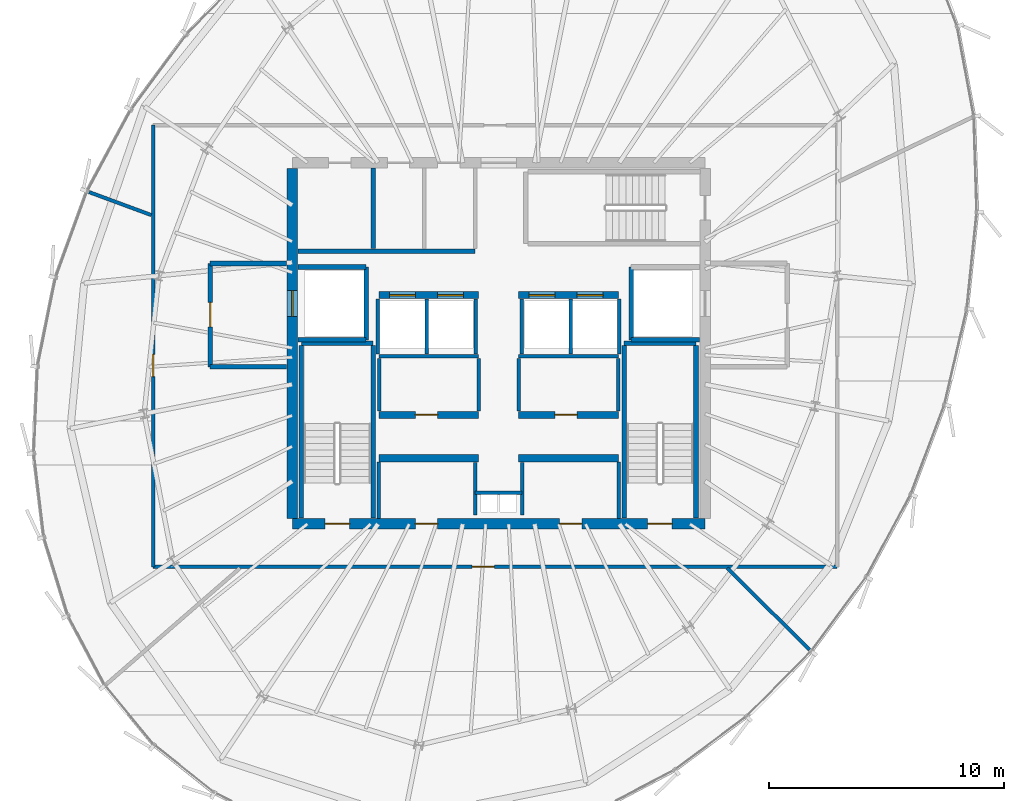
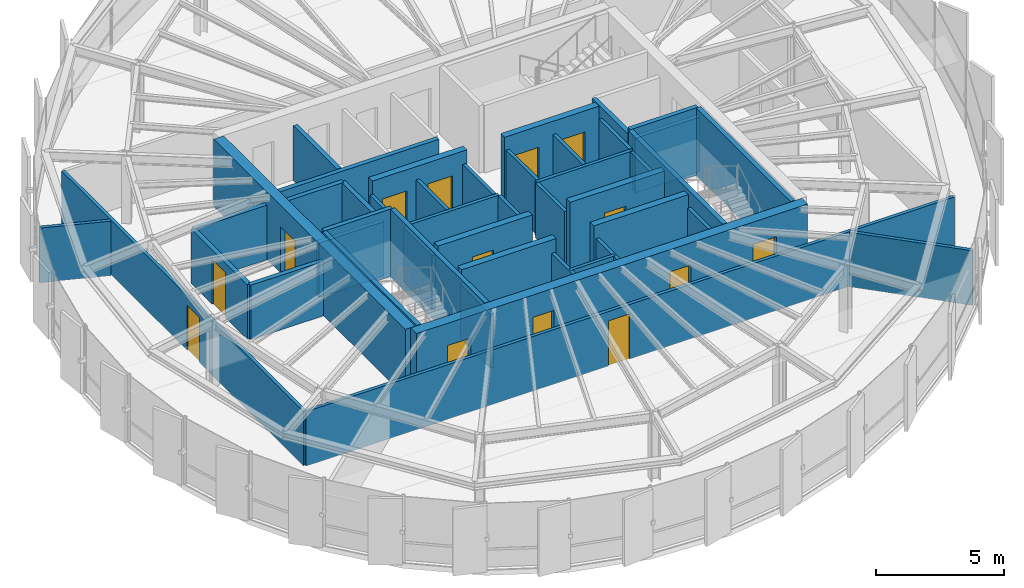
# One storey, part 26 of 33: 45 walls, 14 doors, 14 openings.
"""IFC4 building model written with IfcOpenShell, lengths in metres."""

from ifc_helpers import new_model, si_unit, direction, frame, frame_2d, origin, place, context, subcontext, project, spatial, rectangle, extrude, source, transform, mapped, material, layer, layer_set, type_object, element, fill, save


model = new_model("IFC4")

# Units and contexts
model_context = context("Model", 3, precision=1e-05, world=origin(), true_north=direction((0.0, 1.0)))
body_context = subcontext(model_context, "Body", "Model", "MODEL_VIEW")
ifc_project = project(units=[si_unit("LENGTHUNIT", "METRE"), si_unit("AREAUNIT", "SQUARE_METRE"), si_unit("VOLUMEUNIT", "CUBIC_METRE"), si_unit("PLANEANGLEUNIT", "RADIAN"), si_unit("MASSUNIT", "GRAM", prefix="KILO"), si_unit("THERMODYNAMICTEMPERATUREUNIT", "KELVIN")], contexts=[model_context])

# Site, building, storey
site_placement = place(None, origin())
site = spatial("IfcSite", under=ifc_project, at=site_placement, CompositionType="ELEMENT")
building_placement = place(site_placement, origin())
building = spatial("IfcBuilding", under=site, at=building_placement, Name="Kethvar Cultural Tower", CompositionType="ELEMENT")
storey_placement = place(building_placement, frame((0.0, 0.0, 266.35009765625)))
storey = spatial("IfcBuildingStorey", under=building, at=storey_placement, Name="L70", CompositionType="ELEMENT", Elevation=266.35009765625)

# Wall, openings, doors
ifc_material_1 = material(Name="Concrete C50/60", Category="concrete")
ifc_layer_1 = layer(ifc_material_1, 0.449951171875, Name="Concrete C50/60", Category="concrete")
ifc_layer_set_1 = layer_set([ifc_layer_1], Name="Concrete C50/60 (450 mm)")
wall_type_1 = type_object("IfcWallType", Name="WL-CORE-450", PredefinedType="SHEAR", material=ifc_layer_set_1)
wall_1_placement = place(storey_placement, frame((38.0, 20.10009765625, 0.0), z_axis=(0.0, 0.0, 1.0), x_axis=(1.0, 0.0, 0.0)))
wall_1 = element("IfcWall", 1, at=wall_1_placement, inside=storey, type_object=wall_type_1, Name="L70 Core Shear Wall S", PredefinedType="SHEAR", context=body_context, shape_type="SweptSolid", body=[
    extrude(rectangle(XDim=17.60009765625, YDim=0.449951171875, at=frame_2d((8.800048828125, 0.0))), origin(), (0.0, 0.0, 1.0), 3.2099609375),
])
opening_1_placement = place(wall_1_placement, frame((1.39990234375, 0.0, 0.0)))
opening_1 = element("IfcOpeningElement", 2, at=opening_1_placement, cuts=wall_1, Name="Opening D-L70-S1", PredefinedType="OPENING", context=body_context, shape_type="SweptSolid", body=[
    extrude(rectangle(XDim=1.050048828125, YDim=2.14990234375, at=frame_2d((0.52490234375, 1.074951171875))), frame((0.0, 0.23486328125, 0.0), z_axis=(0.0, -1.0, 0.0), x_axis=(1.0, 0.0, 0.0)), (0.0, 0.0, 1.0), 0.469970703125),
])
opening_2_placement = place(wall_1_placement, frame((15.14990234375, 0.0, 0.0)))
opening_2 = element("IfcOpeningElement", 3, at=opening_2_placement, cuts=wall_1, Name="Opening D-L70-ST2", PredefinedType="OPENING", context=body_context, shape_type="SweptSolid", body=[
    extrude(rectangle(XDim=1.050048828125, YDim=2.14990234375, at=frame_2d((0.52490234375, 1.074951171875))), frame((0.0, 0.23486328125, 0.0), z_axis=(0.0, -1.0, 0.0), x_axis=(1.0, 0.0, 0.0)), (0.0, 0.0, 1.0), 0.469970703125),
])
opening_3_placement = place(wall_1_placement, frame((5.25, 0.0, 0.0)))
opening_3 = element("IfcOpeningElement", 4, at=opening_3_placement, cuts=wall_1, Name="Opening D-L70-V1", PredefinedType="OPENING", context=body_context, shape_type="SweptSolid", body=[
    extrude(rectangle(XDim=0.949951171875, YDim=2.14990234375, at=frame_2d((0.47509765625, 1.074951171875))), frame((0.0, 0.23486328125, 0.0), z_axis=(0.0, -1.0, 0.0), x_axis=(1.0, 0.0, 0.0)), (0.0, 0.0, 1.0), 0.469970703125),
])
opening_4_placement = place(wall_1_placement, frame((11.39990234375, 0.0, 0.0)))
opening_4 = element("IfcOpeningElement", 5, at=opening_4_placement, cuts=wall_1, Name="Opening D-L70-V2", PredefinedType="OPENING", context=body_context, shape_type="SweptSolid", body=[
    extrude(rectangle(XDim=0.949951171875, YDim=2.14990234375, at=frame_2d((0.47509765625, 1.074951171875))), frame((0.0, 0.23486328125, 0.0), z_axis=(0.0, -1.0, 0.0), x_axis=(1.0, 0.0, 0.0)), (0.0, 0.0, 1.0), 0.469970703125),
])
ifc_material_2 = material(Name="Steel S355J2", Category="steel")
door_type_1 = type_object("IfcDoorType", Name="DR-FD60-1050", OperationType="NOTDEFINED", PredefinedType="DOOR", material=ifc_material_2)
shared_shape_1 = source(origin(), body_context, "Body", "SweptSolid", [
    extrude(rectangle(XDim=1.050048828125, YDim=2.14990234375, at=frame_2d((0.52490234375, 1.074951171875))), frame((0.0, 0.02490234375, 0.0), z_axis=(0.0, -1.0, 0.0), x_axis=(1.0, 0.0, 0.0)), (0.0, 0.0, 1.0), 0.050048828125),
])
door_1_placement = place(opening_1_placement, origin())
door_1 = element("IfcDoor", 6, at=door_1_placement, inside=storey, type_object=door_type_1, Name="L70 Exit Stair 1 Door", OperationType="SINGLE_SWING_LEFT", OverallHeight=2.14990234375, OverallWidth=1.050048828125, PredefinedType="DOOR", context=body_context, shape_type="MappedRepresentation", body=[
    mapped(shared_shape_1, transform((0.0, 0.0, 0.0), scale=1.0)),
])
fill(opening_1, door_1)
door_2_placement = place(opening_2_placement, origin())
door_2 = element("IfcDoor", 7, at=door_2_placement, inside=storey, type_object=door_type_1, Name="L70 Exit Stair 2 Door", OperationType="SINGLE_SWING_RIGHT", OverallHeight=2.14990234375, OverallWidth=1.050048828125, PredefinedType="DOOR", context=body_context, shape_type="MappedRepresentation", body=[
    mapped(shared_shape_1, transform((0.0, 0.0, 0.0), scale=1.0)),
])
fill(opening_2, door_2)
ifc_material_3 = material(Name="Architectural Oak Timber", Category="wood")
door_type_2 = type_object("IfcDoorType", Name="DR-FD30-950", OperationType="NOTDEFINED", PredefinedType="DOOR", material=ifc_material_3)
shared_shape_2 = source(origin(), body_context, "Body", "SweptSolid", [
    extrude(rectangle(XDim=0.949951171875, YDim=2.14990234375, at=frame_2d((0.47509765625, 1.074951171875))), frame((0.0, 0.02490234375, 0.0), z_axis=(0.0, -1.0, 0.0), x_axis=(1.0, 0.0, 0.0)), (0.0, 0.0, 1.0), 0.050048828125),
])
door_3_placement = place(opening_3_placement, origin())
door_3 = element("IfcDoor", 8, at=door_3_placement, inside=storey, type_object=door_type_2, Name="L70 Reclaimed West Room Door", OperationType="SINGLE_SWING_LEFT", OverallHeight=2.14990234375, OverallWidth=0.949951171875, PredefinedType="DOOR", context=body_context, shape_type="MappedRepresentation", body=[
    mapped(shared_shape_2, transform((0.0, 0.0, 0.0), scale=1.0)),
])
fill(opening_3, door_3)
door_4_placement = place(opening_4_placement, origin())
door_4 = element("IfcDoor", 9, at=door_4_placement, inside=storey, type_object=door_type_2, Name="L70 Reclaimed East Room Door", OperationType="SINGLE_SWING_RIGHT", OverallHeight=2.14990234375, OverallWidth=0.949951171875, PredefinedType="DOOR", context=body_context, shape_type="MappedRepresentation", body=[
    mapped(shared_shape_2, transform((0.0, 0.0, 0.0), scale=1.0)),
])
fill(opening_4, door_4)

# Wall, opening, door
wall_2_placement = place(storey_placement, frame((38.0, 35.260009765625, 0.0), z_axis=(0.0, 0.0, 1.0), x_axis=(0.0, -1.0, 0.0)))
wall_2 = element("IfcWall", 10, at=wall_2_placement, inside=storey, type_object=wall_type_1, Name="L70 Core Shear Wall W", PredefinedType="SHEAR", context=body_context, shape_type="SweptSolid", body=[
    extrude(rectangle(XDim=14.919921875, YDim=0.449951171875, at=frame_2d((7.4599609375, 0.0))), origin(), (0.0, 0.0, 1.0), 3.2099609375),
])
opening_5_placement = place(wall_2_placement, frame((5.2099609375, 0.0, 0.0)))
opening_5 = element("IfcOpeningElement", 11, at=opening_5_placement, cuts=wall_2, Name="Opening LD-1", PredefinedType="OPENING", context=body_context, shape_type="SweptSolid", body=[
    extrude(rectangle(XDim=1.10009765625, YDim=2.199951171875, at=frame_2d((0.550048828125, 1.10009765625))), frame((0.0, 0.23486328125, 0.0), z_axis=(0.0, -1.0, 0.0), x_axis=(1.0, 0.0, 0.0)), (0.0, 0.0, 1.0), 0.469970703125),
])
door_type_3 = type_object("IfcDoorType", Name="DR-LIFT-SLIDE-1100", OperationType="NOTDEFINED", PredefinedType="DOOR", material=ifc_material_2)
shared_shape_3 = source(origin(), body_context, "Body", "SweptSolid", [
    extrude(rectangle(XDim=1.10009765625, YDim=2.199951171875, at=frame_2d((0.550048828125, 1.10009765625))), frame((0.0, 0.02490234375, 0.0), z_axis=(0.0, -1.0, 0.0), x_axis=(1.0, 0.0, 0.0)), (0.0, 0.0, 1.0), 0.050048828125),
])
door_5_placement = place(opening_5_placement, origin())
door_5 = element("IfcDoor", 12, at=door_5_placement, inside=storey, type_object=door_type_3, Name="L70 Firefighting Lift Landing Door FFL-01", OperationType="SLIDING_TO_LEFT", OverallHeight=2.199951171875, OverallWidth=1.10009765625, PredefinedType="DOOR", context=body_context, shape_type="MappedRepresentation", body=[
    mapped(shared_shape_3, transform((0.0, 0.0, 0.0), scale=1.0)),
])
fill(opening_5, door_5)

# Walls
ifc_material_4 = material(Name="Gypsum Fireboard Partition")
ifc_layer_2 = layer(ifc_material_4, 0.14990234375, Name="Gypsum Fireboard Partition")
ifc_layer_set_2 = layer_set([ifc_layer_2], Name="Gypsum Fireboard Partition (150 mm)")
wall_type_2 = type_object("IfcWallType", Name="WL-FIRE-150", PredefinedType="PARTITIONING", material=ifc_layer_set_2)
wall_3_placement = place(storey_placement, frame((45.800048828125, 21.419921875, 0.0), z_axis=(0.0, 0.0, 1.0), x_axis=(1.0, 0.0, 0.0)))
element("IfcWall", 13, at=wall_3_placement, inside=storey, type_object=wall_type_2, Name="L70 Core Riser Wall", PredefinedType="PARTITIONING", context=body_context, shape_type="SweptSolid", body=[
    extrude(rectangle(XDim=2.0, YDim=0.14990234375, at=frame_2d((1.0, 0.0))), origin(), (0.0, 0.0, 1.0), 2.594970703125),
])
for number, where, z_axis, x_axis, name in (
    (14, (45.800048828125, 20.47998046875, 0.0), (0.0, 0.0, 1.0), (0.0, 1.0, 0.0), "L70 Core Riser West Wall"),
    (15, (47.800048828125, 20.47998046875, 0.0), (0.0, 0.0, 1.0), (0.0, 1.0, 0.0), "L70 Core Riser East Wall"),
):
    element("IfcWall", number, at=place(storey_placement, frame(where, z_axis=z_axis, x_axis=x_axis)), inside=storey, type_object=wall_type_2, Name=name, PredefinedType="PARTITIONING", context=body_context, shape_type="SweptSolid", body=[
        extrude(rectangle(XDim=2.239990234375, YDim=0.14990234375, at=frame_2d((1.1201171875, 0.0))), origin(), (0.0, 0.0, 1.0), 2.594970703125),
    ])
for number, where, z_axis, x_axis, name in (
    (16, (41.679931640625, 20.3349609375, 0.0), (0.0, 0.0, 1.0), (0.0, 1.0, 0.0), "L70 Reclaimed West Outer Wall"),
    (17, (51.919921875, 20.3349609375, 0.0), (0.0, 0.0, 1.0), (0.0, 1.0, 0.0), "L70 Reclaimed East Outer Wall"),
):
    element("IfcWall", number, at=place(storey_placement, frame(where, z_axis=z_axis, x_axis=x_axis)), inside=storey, type_object=wall_type_2, Name=name, PredefinedType="PARTITIONING", context=body_context, shape_type="SweptSolid", body=[
        extrude(rectangle(XDim=2.39501953125, YDim=0.14990234375, at=frame_2d((1.197509765625, 0.0))), origin(), (0.0, 0.0, 1.0), 2.594970703125),
    ])
for number, where, z_axis, x_axis, name in (
    (18, (41.699951171875, 27.25, 0.0), (0.0, 0.0, 1.0), (1.0, 0.0, 0.0), "L70 Reclaimed Mid Wall W"),
    (19, (47.64990234375, 27.25, 0.0), (0.0, 0.0, 1.0), (1.0, 0.0, 0.0), "L70 Reclaimed Mid Wall E"),
):
    element("IfcWall", number, at=place(storey_placement, frame(where, z_axis=z_axis, x_axis=x_axis)), inside=storey, type_object=wall_type_2, Name=name, PredefinedType="PARTITIONING", context=body_context, shape_type="SweptSolid", body=[
        extrude(rectangle(XDim=4.25, YDim=0.14990234375, at=frame_2d((2.125, 0.0))), origin(), (0.0, 0.0, 1.0), 2.594970703125),
    ])
for number, where, z_axis, x_axis, name in (
    (20, (41.699951171875, 24.919921875, 0.0), (0.0, 0.0, 1.0), (0.0, 1.0, 0.0), "L70 Reclaimed Mid Outer W"),
    (21, (45.949951171875, 24.919921875, 0.0), (0.0, 0.0, 1.0), (0.0, 1.0, 0.0), "L70 Reclaimed Mid Spine W"),
    (22, (47.64990234375, 24.919921875, 0.0), (0.0, 0.0, 1.0), (0.0, 1.0, 0.0), "L70 Reclaimed Mid Spine E"),
    (23, (51.89990234375, 24.919921875, 0.0), (0.0, 0.0, 1.0), (0.0, 1.0, 0.0), "L70 Reclaimed Mid Outer E"),
):
    element("IfcWall", number, at=place(storey_placement, frame(where, z_axis=z_axis, x_axis=x_axis)), inside=storey, type_object=wall_type_2, Name=name, PredefinedType="PARTITIONING", context=body_context, shape_type="SweptSolid", body=[
        extrude(rectangle(XDim=2.239990234375, YDim=0.14990234375, at=frame_2d((1.1201171875, 0.0))), origin(), (0.0, 0.0, 1.0), 2.594970703125),
    ])
for number, where, z_axis, x_axis, name in (
    (24, (41.64990234375, 27.340087890625, 0.0), (0.0, 0.0, 1.0), (0.0, 1.0, 0.0), "L70 High-Rise Lift Shaft Outer Wall W"),
    (25, (43.72509765625, 27.340087890625, 0.0), (0.0, 0.0, 1.0), (0.0, 1.0, 0.0), "L70 High-Rise Lift Shaft Divider W"),
    (26, (45.824951171875, 27.340087890625, 0.0), (0.0, 0.0, 1.0), (0.0, 1.0, 0.0), "L70 High-Rise Lift Shaft Concourse Wall W"),
    (27, (47.77490234375, 27.340087890625, 0.0), (0.0, 0.0, 1.0), (0.0, 1.0, 0.0), "L70 High-Rise Lift Shaft Concourse Wall E"),
    (28, (49.875, 27.340087890625, 0.0), (0.0, 0.0, 1.0), (0.0, 1.0, 0.0), "L70 High-Rise Lift Shaft Divider E"),
    (29, (51.949951171875, 27.340087890625, 0.0), (0.0, 0.0, 1.0), (0.0, 1.0, 0.0), "L70 High-Rise Lift Shaft Outer Wall E"),
):
    element("IfcWall", number, at=place(storey_placement, frame(where, z_axis=z_axis, x_axis=x_axis)), inside=storey, type_object=wall_type_2, Name=name, PredefinedType="PARTITIONING", context=body_context, shape_type="SweptSolid", body=[
        extrude(rectangle(XDim=2.33984375, YDim=0.14990234375, at=frame_2d((1.169921875, 0.0))), origin(), (0.0, 0.0, 1.0), 2.594970703125),
    ])

# Wall, opening, door
wall_4_placement = place(storey_placement, frame((32.070068359375, 18.26904296875, 0.0), z_axis=(0.0, 0.0, 1.0), x_axis=(1.0, 0.0, 0.0)))
wall_4 = element("IfcWall", 30, at=wall_4_placement, inside=storey, type_object=wall_type_2, Name="L70 Corridor Rated Wall S", PredefinedType="PARTITIONING", context=body_context, shape_type="SweptSolid", body=[
    extrude(rectangle(XDim=29.156005859375, YDim=0.14990234375, at=frame_2d((14.578125, 0.0))), origin(), (0.0, 0.0, 1.0), 2.594970703125),
])
opening_6_placement = place(wall_4_placement, frame((13.59912109375, 0.0, 0.0)))
opening_6 = element("IfcOpeningElement", 31, at=opening_6_placement, cuts=wall_4, Name="Opening D-L70-01", PredefinedType="OPENING", context=body_context, shape_type="SweptSolid", body=[
    extrude(rectangle(XDim=0.949951171875, YDim=2.14990234375, at=frame_2d((0.47509765625, 1.074951171875))), frame((0.0, 0.0849609375, 0.0), z_axis=(0.0, -1.0, 0.0), x_axis=(1.0, 0.0, 0.0)), (0.0, 0.0, 1.0), 0.169921875),
])
door_6_placement = place(opening_6_placement, origin())
door_6 = element("IfcDoor", 32, at=door_6_placement, inside=storey, type_object=door_type_2, Name="L70 Curatorial Research Office 01 Door", OperationType="SINGLE_SWING_LEFT", OverallHeight=2.14990234375, OverallWidth=0.949951171875, PredefinedType="DOOR", context=body_context, shape_type="MappedRepresentation", body=[
    mapped(shared_shape_2, transform((0.0, 0.0, 0.0), scale=1.0)),
])
fill(opening_6, door_6)

wall_5_placement = place(storey_placement, frame((32.070068359375, 37.10009765625, 0.0), z_axis=(0.0, 0.0, 1.0), x_axis=(0.0, -1.0, 0.0)))
wall_5 = element("IfcWall", 33, at=wall_5_placement, inside=storey, type_object=wall_type_2, Name="L70 Corridor Rated Wall W", PredefinedType="PARTITIONING", context=body_context, shape_type="SweptSolid", body=[
    extrude(rectangle(XDim=18.8310546875, YDim=0.14990234375, at=frame_2d((9.41552734375, 0.0))), origin(), (0.0, 0.0, 1.0), 2.594970703125),
])
opening_7_placement = place(wall_5_placement, frame((9.7724609375, 0.0, 0.0)))
opening_7 = element("IfcOpeningElement", 34, at=opening_7_placement, cuts=wall_5, Name="Opening D-L70-04", PredefinedType="OPENING", context=body_context, shape_type="SweptSolid", body=[
    extrude(rectangle(XDim=0.949951171875, YDim=2.14990234375, at=frame_2d((0.47509765625, 1.074951171875))), frame((0.0, 0.0849609375, 0.0), z_axis=(0.0, -1.0, 0.0), x_axis=(1.0, 0.0, 0.0)), (0.0, 0.0, 1.0), 0.169921875),
])
door_7_placement = place(opening_7_placement, origin())
door_7 = element("IfcDoor", 35, at=door_7_placement, inside=storey, type_object=door_type_2, Name="L70 Special Collections Storage 04 Door", OperationType="SINGLE_SWING_RIGHT", OverallHeight=2.14990234375, OverallWidth=0.949951171875, PredefinedType="DOOR", context=body_context, shape_type="MappedRepresentation", body=[
    mapped(shared_shape_2, transform((0.0, 0.0, 0.0), scale=1.0)),
])
fill(opening_7, door_7)

# Walls
ifc_material_5 = material(Name="Concrete C40/50", Category="concrete")
ifc_layer_3 = layer(ifc_material_5, 0.199951171875, Name="Concrete C40/50", Category="concrete")
ifc_layer_set_3 = layer_set([ifc_layer_3], Name="Concrete C40/50 (200 mm)")
wall_type_3 = type_object("IfcWallType", Name="WL-FIRE-200", PredefinedType="PARTITIONING", material=ifc_layer_set_3)
wall_6_placement = place(storey_placement, frame((41.14990234375, 27.949951171875, 0.0), z_axis=(0.0, 0.0, 1.0), x_axis=(0.0, 1.0, 0.0)))
element("IfcWall", 36, at=wall_6_placement, inside=storey, type_object=wall_type_3, Name="L70 FFL-01 Shaft Inner Wall", PredefinedType="PARTITIONING", context=body_context, shape_type="SweptSolid", body=[
    extrude(rectangle(XDim=3.10009765625, YDim=0.199951171875, at=frame_2d((1.550048828125, 0.0))), origin(), (0.0, 0.0, 1.0), 2.594970703125),
])
for number, where, z_axis, x_axis, name in (
    (37, (38.235107421875, 27.949951171875, 0.0), (0.0, 0.0, 1.0), (1.0, 0.0, 0.0), "L70 FFL-01 Shaft South Wall"),
    (38, (38.235107421875, 31.050048828125, 0.0), (0.0, 0.0, 1.0), (1.0, 0.0, 0.0), "L70 FFL-01 Shaft North Wall"),
):
    element("IfcWall", number, at=place(storey_placement, frame(where, z_axis=z_axis, x_axis=x_axis)), inside=storey, type_object=wall_type_3, Name=name, PredefinedType="PARTITIONING", context=body_context, shape_type="SweptSolid", body=[
        extrude(rectangle(XDim=2.914794921875, YDim=0.199951171875, at=frame_2d((1.45751953125, 0.0))), origin(), (0.0, 0.0, 1.0), 2.594970703125),
    ])

# Wall, opening, door
wall_7_placement = place(storey_placement, frame((34.5, 31.199951171875, 0.0), z_axis=(0.0, 0.0, 1.0), x_axis=(0.0, -1.0, 0.0)))
wall_7 = element("IfcWall", 39, at=wall_7_placement, inside=storey, type_object=wall_type_3, Name="L70 Firefighting Lobby 1 Wall", PredefinedType="PARTITIONING", context=body_context, shape_type="SweptSolid", body=[
    extrude(rectangle(XDim=4.39990234375, YDim=0.199951171875, at=frame_2d((2.199951171875, 0.0))), origin(), (0.0, 0.0, 1.0), 2.594970703125),
])
opening_8_placement = place(wall_7_placement, frame((1.64990234375, 0.0, 0.0)))
opening_8 = element("IfcOpeningElement", 40, at=opening_8_placement, cuts=wall_7, Name="Opening D-L70-F1", PredefinedType="OPENING", context=body_context, shape_type="SweptSolid", body=[
    extrude(rectangle(XDim=1.050048828125, YDim=2.14990234375, at=frame_2d((0.52490234375, 1.074951171875))), frame((0.0, 0.10986328125, 0.0), z_axis=(0.0, -1.0, 0.0), x_axis=(1.0, 0.0, 0.0)), (0.0, 0.0, 1.0), 0.219970703125),
])
door_8_placement = place(opening_8_placement, origin())
door_8 = element("IfcDoor", 41, at=door_8_placement, inside=storey, type_object=door_type_1, Name="L70 Firefighting Lobby 1 Fire Door", OperationType="SINGLE_SWING_LEFT", OverallHeight=2.14990234375, OverallWidth=1.050048828125, PredefinedType="DOOR", context=body_context, shape_type="MappedRepresentation", body=[
    mapped(shared_shape_1, transform((0.0, 0.0, 0.0), scale=1.0)),
])
fill(opening_8, door_8)

# Walls
for number, where, z_axis, x_axis, name in (
    (42, (34.5, 26.800048828125, 0.0), (0.0, 0.0, 1.0), (1.0, 0.0, 0.0), "L70 FF Lobby 1 South Wall"),
    (43, (34.5, 31.199951171875, 0.0), (0.0, 0.0, 1.0), (1.0, 0.0, 0.0), "L70 FF Lobby 1 North Wall"),
):
    element("IfcWall", number, at=place(storey_placement, frame(where, z_axis=z_axis, x_axis=x_axis)), inside=storey, type_object=wall_type_3, Name=name, PredefinedType="PARTITIONING", context=body_context, shape_type="SweptSolid", body=[
        extrude(rectangle(XDim=3.264892578125, YDim=0.199951171875, at=frame_2d((1.63232421875, 0.0))), origin(), (0.0, 0.0, 1.0), 2.594970703125),
    ])
wall_8_placement = place(storey_placement, frame((52.449951171875, 27.949951171875, 0.0), z_axis=(0.0, 0.0, 1.0), x_axis=(0.0, 1.0, 0.0)))
element("IfcWall", 44, at=wall_8_placement, inside=storey, type_object=wall_type_3, Name="L70 FFL-02 Shaft Inner Wall", PredefinedType="PARTITIONING", context=body_context, shape_type="SweptSolid", body=[
    extrude(rectangle(XDim=3.10009765625, YDim=0.199951171875, at=frame_2d((1.550048828125, 0.0))), origin(), (0.0, 0.0, 1.0), 2.594970703125),
])
wall_9_placement = place(storey_placement, frame((52.449951171875, 27.949951171875, 0.0), z_axis=(0.0, 0.0, 1.0), x_axis=(1.0, 0.0, 0.0)))
element("IfcWall", 45, at=wall_9_placement, inside=storey, type_object=wall_type_3, Name="L70 FFL-02 Shaft South Wall", PredefinedType="PARTITIONING", context=body_context, shape_type="SweptSolid", body=[
    extrude(rectangle(XDim=2.9150390625, YDim=0.199951171875, at=frame_2d((1.45751953125, 0.0))), origin(), (0.0, 0.0, 1.0), 2.594970703125),
])
wall_10_placement = place(storey_placement, frame((41.449951171875, 31.85009765625, 0.0), z_axis=(0.0, 0.0, 1.0), x_axis=(0.0, 1.0, 0.0)))
element("IfcWall", 46, at=wall_10_placement, inside=storey, type_object=wall_type_3, Name="L70 NW Core Pocket Wall", PredefinedType="PARTITIONING", context=body_context, shape_type="SweptSolid", body=[
    extrude(rectangle(XDim=3.414794921875, YDim=0.199951171875, at=frame_2d((1.70751953125, 0.0))), origin(), (0.0, 0.0, 1.0), 2.594970703125),
])
wall_11_placement = place(storey_placement, frame((38.235107421875, 31.72998046875, 0.0), z_axis=(0.0, 0.0, 1.0), x_axis=(1.0, 0.0, 0.0)))
element("IfcWall", 47, at=wall_11_placement, inside=storey, type_object=wall_type_3, Name="L70 North Core Sanitary South Wall", PredefinedType="PARTITIONING", context=body_context, shape_type="SweptSolid", body=[
    extrude(rectangle(XDim=7.56494140625, YDim=0.199951171875, at=frame_2d((3.782470703125, 0.0))), origin(), (0.0, 0.0, 1.0), 2.594970703125),
])
ifc_material_6 = material(Name="Gypsum Acoustic Partition")
ifc_layer_4 = layer(ifc_material_6, 0.14990234375, Name="Gypsum Acoustic Partition")
ifc_layer_set_4 = layer_set([ifc_layer_4], Name="Gypsum Acoustic Partition (150 mm)")
wall_type_4 = type_object("IfcWallType", Name="WL-PART-150", PredefinedType="PARTITIONING", material=ifc_layer_set_4)
wall_12_placement = place(storey_placement, frame((56.54248046875, 18.212646484375, 0.0), z_axis=(0.0, 0.0, 1.0), x_axis=(0.710873734805, -0.703319652195, 0.0)))
element("IfcWall", 48, at=wall_12_placement, inside=storey, type_object=wall_type_4, Name="L70 Radial Partition Wall 02", PredefinedType="PARTITIONING", context=body_context, shape_type="SweptSolid", body=[
    extrude(rectangle(XDim=4.94482421875, YDim=0.14990234375, at=frame_2d((2.472412109375, 0.0))), origin(), (0.0, 0.0, 1.0), 2.594970703125),
])
wall_13_placement = place(storey_placement, frame((31.9951171875, 33.26513671875, 0.0), z_axis=(0.0, 0.0, 1.0), x_axis=(-0.938082247265, 0.346412611442, 0.0)))
element("IfcWall", 49, at=wall_13_placement, inside=storey, type_object=wall_type_4, Name="L70 Radial Partition Wall 04", PredefinedType="PARTITIONING", context=body_context, shape_type="SweptSolid", body=[
    extrude(rectangle(XDim=2.8310546875, YDim=0.14990234375, at=frame_2d((1.41552734375, 0.0))), origin(), (0.0, 0.0, 1.0), 2.594970703125),
])
ifc_layer_5 = layer(ifc_material_1, 0.300048828125, Name="Concrete C50/60", Category="concrete")
ifc_layer_set_5 = layer_set([ifc_layer_5], Name="Concrete C50/60 (300 mm)")
wall_type_5 = type_object("IfcWallType", Name="WL-SHAFT-300", PredefinedType="SHEAR", material=ifc_layer_set_5)
for number, where, z_axis, x_axis, name in (
    (50, (41.699951171875, 22.89990234375, 0.0), (0.0, 0.0, 1.0), (1.0, 0.0, 0.0), "L70 Core Lift Spine Wall MID1W"),
    (51, (47.64990234375, 22.89990234375, 0.0), (0.0, 0.0, 1.0), (1.0, 0.0, 0.0), "L70 Core Lift Spine Wall MID1E"),
):
    element("IfcWall", number, at=place(storey_placement, frame(where, z_axis=z_axis, x_axis=x_axis)), inside=storey, type_object=wall_type_5, Name=name, PredefinedType="SHEAR", context=body_context, shape_type="SweptSolid", body=[
        extrude(rectangle(XDim=4.25, YDim=0.300048828125, at=frame_2d((2.125, 0.0))), origin(), (0.0, 0.0, 1.0), 3.2099609375),
    ])

# Wall, opening, door
wall_14_placement = place(storey_placement, frame((41.699951171875, 24.75, 0.0), z_axis=(0.0, 0.0, 1.0), x_axis=(1.0, 0.0, 0.0)))
wall_14 = element("IfcWall", 52, at=wall_14_placement, inside=storey, type_object=wall_type_5, Name="L70 Core Lift Spine Wall MID2W", PredefinedType="SHEAR", context=body_context, shape_type="SweptSolid", body=[
    extrude(rectangle(XDim=4.25, YDim=0.300048828125, at=frame_2d((2.125, 0.0))), origin(), (0.0, 0.0, 1.0), 3.2099609375),
])
opening_9_placement = place(wall_14_placement, frame((1.550048828125, 0.0, 0.0)))
opening_9 = element("IfcOpeningElement", 53, at=opening_9_placement, cuts=wall_14, Name="Opening D-L70-M1", PredefinedType="OPENING", context=body_context, shape_type="SweptSolid", body=[
    extrude(rectangle(XDim=0.949951171875, YDim=2.14990234375, at=frame_2d((0.47509765625, 1.074951171875))), frame((0.0, 0.159912109375, 0.0), z_axis=(0.0, -1.0, 0.0), x_axis=(1.0, 0.0, 0.0)), (0.0, 0.0, 1.0), 0.320068359375),
])
door_9_placement = place(opening_9_placement, origin())
door_9 = element("IfcDoor", 54, at=door_9_placement, inside=storey, type_object=door_type_2, Name="L70 Mid West Room Door", OperationType="SINGLE_SWING_LEFT", OverallHeight=2.14990234375, OverallWidth=0.949951171875, PredefinedType="DOOR", context=body_context, shape_type="MappedRepresentation", body=[
    mapped(shared_shape_2, transform((0.0, 0.0, 0.0), scale=1.0)),
])
fill(opening_9, door_9)

wall_15_placement = place(storey_placement, frame((47.64990234375, 24.75, 0.0), z_axis=(0.0, 0.0, 1.0), x_axis=(1.0, 0.0, 0.0)))
wall_15 = element("IfcWall", 55, at=wall_15_placement, inside=storey, type_object=wall_type_5, Name="L70 Core Lift Spine Wall MID2E", PredefinedType="SHEAR", context=body_context, shape_type="SweptSolid", body=[
    extrude(rectangle(XDim=4.25, YDim=0.300048828125, at=frame_2d((2.125, 0.0))), origin(), (0.0, 0.0, 1.0), 3.2099609375),
])
opening_10_placement = place(wall_15_placement, frame((1.550048828125, 0.0, 0.0)))
opening_10 = element("IfcOpeningElement", 56, at=opening_10_placement, cuts=wall_15, Name="Opening D-L70-M2", PredefinedType="OPENING", context=body_context, shape_type="SweptSolid", body=[
    extrude(rectangle(XDim=0.949951171875, YDim=2.14990234375, at=frame_2d((0.47509765625, 1.074951171875))), frame((0.0, 0.159912109375, 0.0), z_axis=(0.0, -1.0, 0.0), x_axis=(1.0, 0.0, 0.0)), (0.0, 0.0, 1.0), 0.320068359375),
])
door_10_placement = place(opening_10_placement, origin())
door_10 = element("IfcDoor", 57, at=door_10_placement, inside=storey, type_object=door_type_2, Name="L70 Mid East Room Door", OperationType="SINGLE_SWING_RIGHT", OverallHeight=2.14990234375, OverallWidth=0.949951171875, PredefinedType="DOOR", context=body_context, shape_type="MappedRepresentation", body=[
    mapped(shared_shape_2, transform((0.0, 0.0, 0.0), scale=1.0)),
])
fill(opening_10, door_10)

# Wall, openings, doors
wall_16_placement = place(storey_placement, frame((41.699951171875, 29.85009765625, 0.0), z_axis=(0.0, 0.0, 1.0), x_axis=(1.0, 0.0, 0.0)))
wall_16 = element("IfcWall", 58, at=wall_16_placement, inside=storey, type_object=wall_type_5, Name="L70 Core Lift Spine Wall MID3W", PredefinedType="SHEAR", context=body_context, shape_type="SweptSolid", body=[
    extrude(rectangle(XDim=4.25, YDim=0.300048828125, at=frame_2d((2.125, 0.0))), origin(), (0.0, 0.0, 1.0), 3.2099609375),
])
opening_11_placement = place(wall_16_placement, frame((0.449951171875, 0.0, 0.0)))
opening_11 = element("IfcOpeningElement", 59, at=opening_11_placement, cuts=wall_16, Name="Opening LD-H1", PredefinedType="OPENING", context=body_context, shape_type="SweptSolid", body=[
    extrude(rectangle(XDim=1.10009765625, YDim=2.199951171875, at=frame_2d((0.550048828125, 1.10009765625))), frame((0.0, 0.159912109375, 0.0), z_axis=(0.0, -1.0, 0.0), x_axis=(1.0, 0.0, 0.0)), (0.0, 0.0, 1.0), 0.320068359375),
])
opening_12_placement = place(wall_16_placement, frame((2.5, 0.0, 0.0)))
opening_12 = element("IfcOpeningElement", 60, at=opening_12_placement, cuts=wall_16, Name="Opening LD-H2", PredefinedType="OPENING", context=body_context, shape_type="SweptSolid", body=[
    extrude(rectangle(XDim=1.10009765625, YDim=2.199951171875, at=frame_2d((0.550048828125, 1.10009765625))), frame((0.0, 0.159912109375, 0.0), z_axis=(0.0, -1.0, 0.0), x_axis=(1.0, 0.0, 0.0)), (0.0, 0.0, 1.0), 0.320068359375),
])
door_11_placement = place(opening_11_placement, origin())
door_11 = element("IfcDoor", 61, at=door_11_placement, inside=storey, type_object=door_type_3, Name="L70 High-Rise Lift Landing Door H1", OperationType="SLIDING_TO_LEFT", OverallHeight=2.199951171875, OverallWidth=1.10009765625, PredefinedType="DOOR", context=body_context, shape_type="MappedRepresentation", body=[
    mapped(shared_shape_3, transform((0.0, 0.0, 0.0), scale=1.0)),
])
fill(opening_11, door_11)
door_12_placement = place(opening_12_placement, origin())
door_12 = element("IfcDoor", 62, at=door_12_placement, inside=storey, type_object=door_type_3, Name="L70 High-Rise Lift Landing Door H2", OperationType="SLIDING_TO_LEFT", OverallHeight=2.199951171875, OverallWidth=1.10009765625, PredefinedType="DOOR", context=body_context, shape_type="MappedRepresentation", body=[
    mapped(shared_shape_3, transform((0.0, 0.0, 0.0), scale=1.0)),
])
fill(opening_12, door_12)

wall_17_placement = place(storey_placement, frame((47.64990234375, 29.85009765625, 0.0), z_axis=(0.0, 0.0, 1.0), x_axis=(1.0, 0.0, 0.0)))
wall_17 = element("IfcWall", 63, at=wall_17_placement, inside=storey, type_object=wall_type_5, Name="L70 Core Lift Spine Wall MID3E", PredefinedType="SHEAR", context=body_context, shape_type="SweptSolid", body=[
    extrude(rectangle(XDim=4.25, YDim=0.300048828125, at=frame_2d((2.125, 0.0))), origin(), (0.0, 0.0, 1.0), 3.2099609375),
])
opening_13_placement = place(wall_17_placement, frame((0.449951171875, 0.0, 0.0)))
opening_13 = element("IfcOpeningElement", 64, at=opening_13_placement, cuts=wall_17, Name="Opening LD-H3", PredefinedType="OPENING", context=body_context, shape_type="SweptSolid", body=[
    extrude(rectangle(XDim=1.10009765625, YDim=2.199951171875, at=frame_2d((0.550048828125, 1.10009765625))), frame((0.0, 0.159912109375, 0.0), z_axis=(0.0, -1.0, 0.0), x_axis=(1.0, 0.0, 0.0)), (0.0, 0.0, 1.0), 0.320068359375),
])
opening_14_placement = place(wall_17_placement, frame((2.5, 0.0, 0.0)))
opening_14 = element("IfcOpeningElement", 65, at=opening_14_placement, cuts=wall_17, Name="Opening LD-H4", PredefinedType="OPENING", context=body_context, shape_type="SweptSolid", body=[
    extrude(rectangle(XDim=1.10009765625, YDim=2.199951171875, at=frame_2d((0.550048828125, 1.10009765625))), frame((0.0, 0.159912109375, 0.0), z_axis=(0.0, -1.0, 0.0), x_axis=(1.0, 0.0, 0.0)), (0.0, 0.0, 1.0), 0.320068359375),
])
door_13_placement = place(opening_13_placement, origin())
door_13 = element("IfcDoor", 66, at=door_13_placement, inside=storey, type_object=door_type_3, Name="L70 High-Rise Lift Landing Door H3", OperationType="SLIDING_TO_LEFT", OverallHeight=2.199951171875, OverallWidth=1.10009765625, PredefinedType="DOOR", context=body_context, shape_type="MappedRepresentation", body=[
    mapped(shared_shape_3, transform((0.0, 0.0, 0.0), scale=1.0)),
])
fill(opening_13, door_13)
door_14_placement = place(opening_14_placement, origin())
door_14 = element("IfcDoor", 67, at=door_14_placement, inside=storey, type_object=door_type_3, Name="L70 High-Rise Lift Landing Door H4", OperationType="SLIDING_TO_LEFT", OverallHeight=2.199951171875, OverallWidth=1.10009765625, PredefinedType="DOOR", context=body_context, shape_type="MappedRepresentation", body=[
    mapped(shared_shape_3, transform((0.0, 0.0, 0.0), scale=1.0)),
])
fill(opening_14, door_14)

# Walls
ifc_layer_6 = layer(ifc_material_1, 0.199951171875, Name="Concrete C50/60", Category="concrete")
ifc_layer_set_6 = layer_set([ifc_layer_6], Name="Concrete C50/60 (200 mm)")
wall_type_6 = type_object("IfcWallType", Name="WL-STSHAFT-200", PredefinedType="SHEAR", material=ifc_layer_set_6)
wall_18_placement = place(storey_placement, frame((38.389892578125, 27.800048828125, 0.0), z_axis=(0.0, 0.0, 1.0), x_axis=(1.0, 0.0, 0.0)))
element("IfcWall", 68, at=wall_18_placement, inside=storey, type_object=wall_type_6, Name="L70 ST-01 Stair Shaft Wall FAR", PredefinedType="SHEAR", context=body_context, shape_type="SweptSolid", body=[
    extrude(rectangle(XDim=3.06005859375, YDim=0.199951171875, at=frame_2d((1.530029296875, 0.0))), origin(), (0.0, 0.0, 1.0), 3.2099609375),
])
for number, where, z_axis, x_axis, name in (
    (69, (41.449951171875, 27.699951171875, 0.0), (0.0, 0.0, 1.0), (0.0, -1.0, 0.0), "L70 ST-01 Stair Shaft Wall LEFT"),
    (70, (38.389892578125, 20.35009765625, 0.0), (0.0, 0.0, 1.0), (0.0, 1.0, 0.0), "L70 ST-01 Stair Shaft Wall RIGHT"),
):
    element("IfcWall", number, at=place(storey_placement, frame(where, z_axis=z_axis, x_axis=x_axis)), inside=storey, type_object=wall_type_6, Name=name, PredefinedType="SHEAR", context=body_context, shape_type="SweptSolid", body=[
        extrude(rectangle(XDim=7.349853515625, YDim=0.199951171875, at=frame_2d((3.6748046875, 0.0))), origin(), (0.0, 0.0, 1.0), 3.2099609375),
    ])
wall_19_placement = place(storey_placement, frame((52.14990234375, 27.800048828125, 0.0), z_axis=(0.0, 0.0, 1.0), x_axis=(1.0, 0.0, 0.0)))
element("IfcWall", 71, at=wall_19_placement, inside=storey, type_object=wall_type_6, Name="L70 ST-02 Stair Shaft Wall FAR", PredefinedType="SHEAR", context=body_context, shape_type="SweptSolid", body=[
    extrude(rectangle(XDim=3.06005859375, YDim=0.199951171875, at=frame_2d((1.530029296875, 0.0))), origin(), (0.0, 0.0, 1.0), 3.2099609375),
])
for number, where, z_axis, x_axis, name in (
    (72, (55.2099609375, 27.699951171875, 0.0), (0.0, 0.0, 1.0), (0.0, -1.0, 0.0), "L70 ST-02 Stair Shaft Wall LEFT"),
    (73, (52.14990234375, 20.35009765625, 0.0), (0.0, 0.0, 1.0), (0.0, 1.0, 0.0), "L70 ST-02 Stair Shaft Wall RIGHT"),
):
    element("IfcWall", number, at=place(storey_placement, frame(where, z_axis=z_axis, x_axis=x_axis)), inside=storey, type_object=wall_type_6, Name=name, PredefinedType="SHEAR", context=body_context, shape_type="SweptSolid", body=[
        extrude(rectangle(XDim=7.349853515625, YDim=0.199951171875, at=frame_2d((3.6748046875, 0.0))), origin(), (0.0, 0.0, 1.0), 3.2099609375),
    ])

save(model, "model.ifc")
